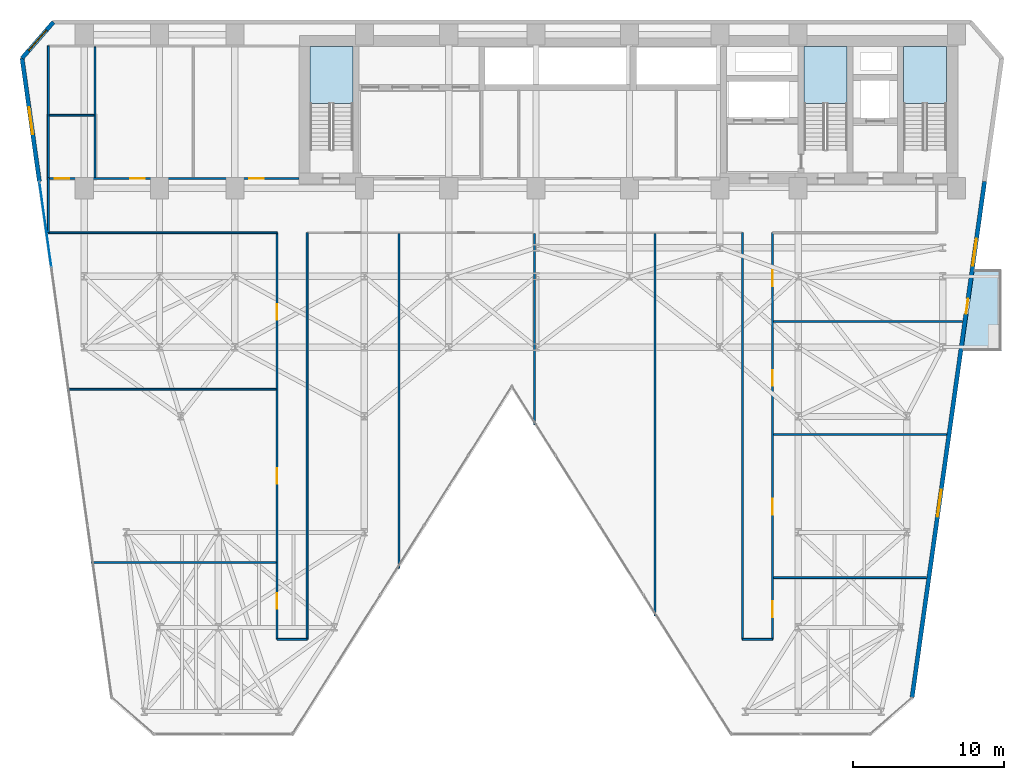
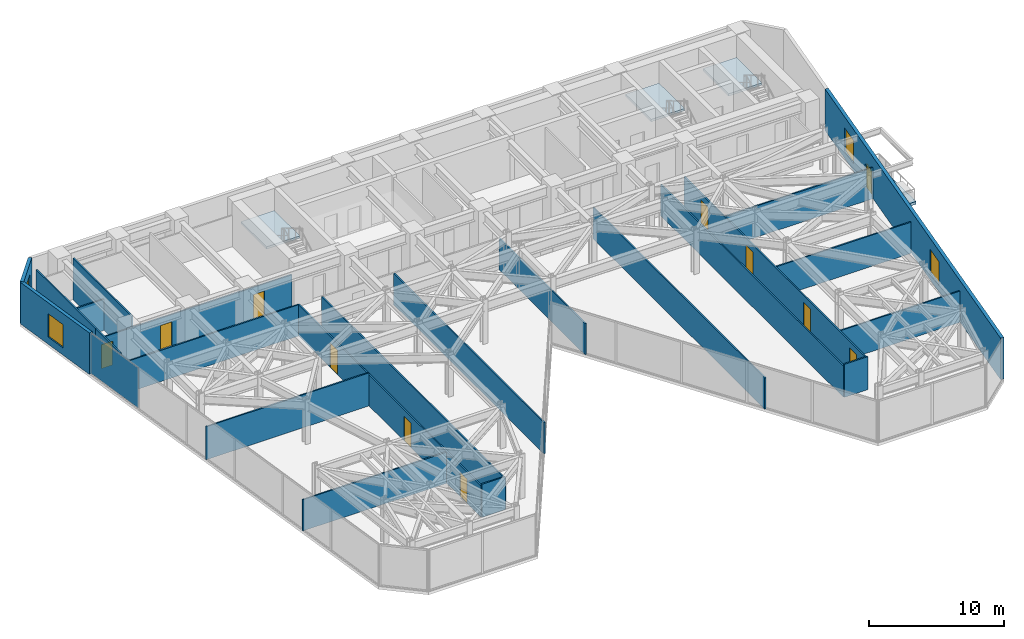
# One storey, part 19 of 24: 23 walls, 11 doors, 4 slabs, 4 windows, 1 plate, 15 openings, 4 elements without a shape of their own.
"""IFC4 building model written with IfcOpenShell, lengths in metres."""

import ifcopenshell
import ifcopenshell.guid

model = None  # the IFC model being written
_history = None  # IfcOwnerHistory: only IFC2X3 demands one
_inside = {}  # id of a spatial element -> (the spatial element, [elements in it])
_under = {}  # id of a project, library or spatial element -> (it, [spatial elements below it])
_declared = {}  # id of a project -> (the project, [libraries it declares])
_typed = {}  # id of a type object -> (the type object, [elements of that type])
_made_of = {}  # id of a material, layer set ... -> (it, [elements and type objects made of it])


def new_model(schema):
    """Start an empty IFC model of exactly this schema.

    Asked for "IFC4X3", IfcOpenShell would pick the latest addendum, in which some entities
    have other attributes; the version numbers below select the first issue.
    IFC2X3 requires an IfcOwnerHistory on every rooted entity: one is made here for all.
    """
    global model, _history
    if schema == "IFC4X3":
        model = ifcopenshell.file(schema_version=(4, 3, 0, 0))
    else:
        model = ifcopenshell.file(schema=schema)
    _inside.clear()
    _under.clear()
    _declared.clear()
    _typed.clear()
    _made_of.clear()
    _history = None
    if model.schema == "IFC2X3":
        org = make("IfcOrganization", Name="unknown")
        user = make(
            "IfcPersonAndOrganization",
            ThePerson=make("IfcPerson", FamilyName="unknown"),
            TheOrganization=org,
        )
        app = make(
            "IfcApplication",
            ApplicationDeveloper=org,
            Version="unknown",
            ApplicationFullName="unknown",
            ApplicationIdentifier="unknown",
        )
        _history = make(
            "IfcOwnerHistory",
            OwningUser=user,
            OwningApplication=app,
            ChangeAction="ADDED",
            CreationDate=0,
        )
    return model


def make(cls, **values):
    """One entity of the class cls with the attributes given. An attribute that is None is left unset."""
    return model.create_entity(
        cls, **{name: value for name, value in values.items() if value is not None}
    )


def rooted(cls, **values):
    """An entity with a GlobalId (a new one), such as an element, a storey or a relation."""
    return make(cls, GlobalId=ifcopenshell.guid.new(), OwnerHistory=_history, **values)


def si_unit(unit_type, name, prefix=None):
    """IfcSIUnit, for example si_unit("LENGTHUNIT", "METRE", prefix="MILLI")."""
    return make("IfcSIUnit", UnitType=unit_type, Prefix=prefix, Name=name)


def assignment(units):
    """IfcUnitAssignment: the units of a project."""
    return None if units is None else make("IfcUnitAssignment", Units=units)


def point(xyz):
    """IfcCartesianPoint."""
    return None if xyz is None else make("IfcCartesianPoint", Coordinates=xyz)


def direction(xyz):
    """IfcDirection."""
    return None if xyz is None else make("IfcDirection", DirectionRatios=xyz)


def frame(location, z_axis=None, x_axis=None):
    """IfcAxis2Placement3D, a coordinate frame: its origin and axes. An axis left out is left unset."""
    return make(
        "IfcAxis2Placement3D",
        Location=point(location),
        Axis=direction(z_axis),
        RefDirection=direction(x_axis),
    )


def frame_2d(location, x_axis=None):
    """IfcAxis2Placement2D, a coordinate frame in the plane: its origin and x axis."""
    return make(
        "IfcAxis2Placement2D", Location=point(location), RefDirection=direction(x_axis)
    )


def origin():
    """The frame at (0, 0, 0) with its axes left unset."""
    return frame((0.0, 0.0, 0.0))


def origin_2d():
    """The frame at (0, 0) in the plane with its x axis left unset."""
    return frame_2d((0.0, 0.0))


def place(relative_to, where):
    """IfcLocalPlacement: puts the frame where relative to a parent placement (None: the world)."""
    return make(
        "IfcLocalPlacement", PlacementRelTo=relative_to, RelativePlacement=where
    )


def context(
    kind, dimensions, precision=None, world=None, true_north=None, identifier=None
):
    """IfcGeometricRepresentationContext, for example the 3D "Model" context."""
    return make(
        "IfcGeometricRepresentationContext",
        ContextIdentifier=identifier,
        ContextType=kind,
        CoordinateSpaceDimension=dimensions,
        Precision=precision,
        WorldCoordinateSystem=world,
        TrueNorth=true_north,
    )


def subcontext(parent, identifier, kind, view, scale=None):
    """IfcGeometricRepresentationSubContext, for example "Body" below "Model"."""
    return make(
        "IfcGeometricRepresentationSubContext",
        ContextIdentifier=identifier,
        ContextType=kind,
        ParentContext=parent,
        TargetScale=scale,
        TargetView=view,
    )


def project(units=None, contexts=None):
    """IfcProject with its units and contexts."""
    return rooted(
        "IfcProject",
        Name="project",
        RepresentationContexts=contexts,
        UnitsInContext=assignment(units),
    )


def spatial(cls, under=None, at=None, **own):
    """A site, building, storey or space (cls), placed at a placement, below another one or the project."""
    s = rooted(cls, ObjectPlacement=at, **own)
    if under is not None:
        _under.setdefault(under.id(), (under, []))[1].append(s)
    return s


def polyline(points):
    """IfcPolyline through the points."""
    return make("IfcPolyline", Points=[point(p) for p in points])


def profile(cls, at=None, kind="AREA", **sizes):
    """A parametric profile (cls). Its sizes go by their IFC names, for example OverallWidth=200.0."""
    return make(cls, ProfileType=kind, Position=at, **sizes)


def rectangle(**sizes):
    """IfcRectangleProfileDef."""
    return profile("IfcRectangleProfileDef", **sizes)


def outline(outer, holes=None, kind="AREA"):
    """IfcArbitraryClosedProfileDef: a profile drawn as a closed curve; with holes, ...WithVoids."""
    if holes is None:
        return make("IfcArbitraryClosedProfileDef", ProfileType=kind, OuterCurve=outer)
    return make(
        "IfcArbitraryProfileDefWithVoids",
        ProfileType=kind,
        OuterCurve=outer,
        InnerCurves=holes,
    )


def extrude(swept, where, along, depth):
    """IfcExtrudedAreaSolid: the profile swept, set in the frame where, extruded along a direction by depth."""
    return make(
        "IfcExtrudedAreaSolid",
        SweptArea=swept,
        Position=where,
        ExtrudedDirection=direction(along),
        Depth=depth,
    )


def shape(context_of_items, identifier, shape_type, items):
    """IfcShapeRepresentation: the items that make up one representation, for example the "Body"."""
    return make(
        "IfcShapeRepresentation",
        ContextOfItems=context_of_items,
        RepresentationIdentifier=identifier,
        RepresentationType=shape_type,
        Items=items,
    )


def material(Name=None, Category=None):
    """IfcMaterial."""
    return make("IfcMaterial", Name=Name, Category=Category)


def layer(
    of_material, thickness, ventilated=None, Name=None, Category=None, Priority=None
):
    """IfcMaterialLayer: one layer of a wall or slab, of a material (None: an air gap)."""
    return make(
        "IfcMaterialLayer",
        Material=of_material,
        LayerThickness=thickness,
        IsVentilated=ventilated,
        Name=Name,
        Category=Category,
        Priority=Priority,
    )


def layer_set(layers, Name=None):
    """IfcMaterialLayerSet."""
    return make("IfcMaterialLayerSet", MaterialLayers=layers, LayerSetName=Name)


def made_of(thing, what):
    """Note that an element or type object is made of a material, layer set ...; save() writes the relation."""
    if what is not None:
        _made_of.setdefault(what.id(), (what, []))[1].append(thing)
    return thing


def type_object(cls, material=None, **own):
    """A type object (cls), such as IfcWallType, which elements share."""
    return made_of(rooted(cls, **own), material)


def element(
    cls,
    number,
    at=None,
    inside=None,
    cuts=None,
    type_object=None,
    material=None,
    context=None,
    identifier="Body",
    shape_type=None,
    held_by="IfcProductDefinitionShape",
    body=None,
    shapes=None,
    **own,
):
    """One element of the class cls, such as IfcWall. Its Tag is "e" and its number.

    at: its placement. inside: the storey or other place that contains it. cuts: it is an
    opening in that element (IfcRelVoidsElement). A single representation is given by context,
    identifier, shape_type and body (its items); several are given by shapes. held_by: the class
    of the entity that holds the representations. save() writes the other relations.
    """
    e = rooted(cls, Tag="e%d" % number, ObjectPlacement=at, **own)
    if body is not None:
        shapes = [shape(context, identifier, shape_type, body)]
    if shapes is not None:
        e.Representation = make(held_by, Representations=shapes)
    if inside is not None:
        _inside.setdefault(inside.id(), (inside, []))[1].append(e)
    if cuts is not None:
        rooted(
            "IfcRelVoidsElement", RelatingBuildingElement=cuts, RelatedOpeningElement=e
        )
    if type_object is not None:
        _typed.setdefault(type_object.id(), (type_object, []))[1].append(e)
    return made_of(e, material)


def fill(opening, filler):
    """IfcRelFillsElement: the door or window that sits in an opening."""
    return rooted(
        "IfcRelFillsElement",
        RelatingOpeningElement=opening,
        RelatedBuildingElement=filler,
    )


def aggregate(whole, parts):
    """IfcRelAggregates: a whole, such as a stair, and the parts it consists of."""
    return rooted("IfcRelAggregates", RelatingObject=whole, RelatedObjects=parts)


def save(model, path):
    """Write the relations noted so far, then the file.

    IfcRelAggregates (storeys below a building ...), IfcRelContainedInSpatialStructure (elements
    in a storey), IfcRelDefinesByType, IfcRelAssociatesMaterial and IfcRelDeclares: one each for
    every whole, place, type object, material and project.
    """
    for whole, parts in _under.values():
        aggregate(whole, parts)
    for where, things in _inside.values():
        rooted(
            "IfcRelContainedInSpatialStructure",
            RelatedElements=things,
            RelatingStructure=where,
        )
    for kind, things in _typed.values():
        rooted("IfcRelDefinesByType", RelatedObjects=things, RelatingType=kind)
    for what, things in _made_of.values():
        rooted("IfcRelAssociatesMaterial", RelatedObjects=things, RelatingMaterial=what)
    for by, libraries in _declared.values():
        rooted("IfcRelDeclares", RelatingContext=by, RelatedDefinitions=libraries)
    model.write(path)


model = new_model("IFC4")

# Units and contexts
model_context = context("Model", 3, precision=1e-05, world=origin(), true_north=direction((0.0, 1.0)))
body_context = subcontext(model_context, "Body", "Model", "MODEL_VIEW")
ifc_project = project(units=[si_unit("LENGTHUNIT", "METRE"), si_unit("AREAUNIT", "SQUARE_METRE"), si_unit("VOLUMEUNIT", "CUBIC_METRE"), si_unit("PLANEANGLEUNIT", "RADIAN"), si_unit("MASSUNIT", "GRAM", prefix="KILO")], contexts=[model_context])

# Site, building, storey
site_placement = place(None, origin())
site = spatial("IfcSite", under=ifc_project, at=site_placement, CompositionType="ELEMENT")
building_placement = place(site_placement, origin())
building = spatial("IfcBuilding", under=site, at=building_placement, Name="Kravanh Interchange Tower", CompositionType="ELEMENT")
storey_placement = place(building_placement, frame((0.0, 0.0, 69.5)))
storey = spatial("IfcBuildingStorey", under=building, at=storey_placement, Name="L16", CompositionType="ELEMENT", Elevation=69.5)

# Stair, slab
ifc_material_1 = material(Name="Concrete C50/60", Category="concrete")
stair_type = type_object("IfcStairType", Name="Core Fire Exit Dogleg Stair Concrete C50/60", PredefinedType="HALF_TURN_STAIR", material=ifc_material_1)
stair_1_placement = place(storey_placement, origin())
stair_1 = element("IfcStair", 1, at=stair_1_placement, inside=storey, type_object=stair_type, Name="L16 Exit Stair ST1", PredefinedType="HALF_TURN_STAIR")
ifc_material_2 = material(Name="Concrete C50/60", Category="concrete")
ifc_layer_1 = layer(ifc_material_2, 0.199951171875)
ifc_layer_set_1 = layer_set([ifc_layer_1], Name="Concrete C50/60 Stair Half-Landing Slab 200mm")
slab_type_1 = type_object("IfcSlabType", Name="Concrete C50/60 Stair Half-Landing Slab 200mm", PredefinedType="LANDING", material=ifc_layer_set_1)
slab_1_placement = place(storey_placement, frame((0.0, 0.0, 1.800048828125)))
slab_1 = element("IfcSlab", 2, at=slab_1_placement, type_object=slab_type_1, Name="ST1 landing 1", PredefinedType="LANDING", context=body_context, shape_type="SweptSolid", body=[
    extrude(outline(polyline([(65.85009765625, 42.97998046875), (65.85009765625, 46.75), (63.0, 46.75), (63.0, 42.97998046875), (65.85009765625, 42.97998046875)])), origin(), (0.0, 0.0, 1.0), 0.199951171875),
])
aggregate(stair_1, [slab_1])

stair_2_placement = place(storey_placement, origin())
stair_2 = element("IfcStair", 3, at=stair_2_placement, inside=storey, type_object=stair_type, Name="L16 Exit Stair ST2", PredefinedType="HALF_TURN_STAIR")
slab_2_placement = place(storey_placement, frame((0.0, 0.0, 1.800048828125)))
slab_2 = element("IfcSlab", 4, at=slab_2_placement, type_object=slab_type_1, Name="ST2 landing 1", PredefinedType="LANDING", context=body_context, shape_type="SweptSolid", body=[
    extrude(outline(polyline([(59.25, 42.97998046875), (59.25, 46.75), (56.39990234375, 46.75), (56.39990234375, 42.97998046875), (59.25, 42.97998046875)])), origin(), (0.0, 0.0, 1.0), 0.199951171875),
])
aggregate(stair_2, [slab_2])

stair_3_placement = place(storey_placement, origin())
stair_3 = element("IfcStair", 5, at=stair_3_placement, inside=storey, type_object=stair_type, Name="L16 Exit Stair ST3", PredefinedType="HALF_TURN_STAIR")
slab_3_placement = place(storey_placement, frame((0.0, 0.0, 1.800048828125)))
slab_3 = element("IfcSlab", 6, at=slab_3_placement, type_object=slab_type_1, Name="ST3 landing 1", PredefinedType="LANDING", context=body_context, shape_type="SweptSolid", body=[
    extrude(outline(polyline([(26.449951171875, 42.97998046875), (26.449951171875, 46.75), (23.60009765625, 46.75), (23.60009765625, 42.97998046875), (26.449951171875, 42.97998046875)])), origin(), (0.0, 0.0, 1.0), 0.199951171875),
])
aggregate(stair_3, [slab_3])

# Slab
ifc_material_3 = material(Name="Concrete C50/60", Category="concrete")
ifc_layer_2 = layer(ifc_material_3, 0.199951171875)
ifc_layer_set_2 = layer_set([ifc_layer_2], Name="Planted Tree Balcony Slab Concrete C50/60 200mm")
slab_type_2 = type_object("IfcSlabType", Name="Planted Tree Balcony Slab Concrete C50/60 200mm", PredefinedType="USERDEFINED", material=ifc_layer_set_2)
slab_4_placement = place(storey_placement, frame((0.0, 0.0, -0.260009765625)))
element("IfcSlab", 7, at=slab_4_placement, inside=storey, type_object=slab_type_2, Name="L16 East Tree Planter Balcony Slab", ObjectType="BALCONY", PredefinedType="USERDEFINED", context=body_context, shape_type="SweptSolid", body=[
    extrude(outline(polyline([(69.489990234375, 31.949951171875), (69.489990234375, 26.550048828125), (66.930419921875, 26.550048828125), (67.689208984375, 31.949951171875), (69.489990234375, 31.949951171875)])), origin(), (0.0, 0.0, 1.0), 0.260009765625),
])

# Curtain wall, plate
ifc_material_4 = material(Name="Anodised Bronze Aluminium", Category="aluminium")
ifc_layer_3 = layer(ifc_material_4, 0.179931640625)
ifc_layer_set_3 = layer_set([ifc_layer_3], Name="Unitised Curtain Wall System CW-Z1 Lower Office")
curtain_wall_type = type_object("IfcCurtainWallType", Name="Unitised Curtain Wall System CW-Z1 Lower Office", PredefinedType="NOTDEFINED", material=ifc_layer_set_3)
curtain_wall_placement = place(storey_placement, origin())
curtain_wall = element("IfcCurtainWall", 8, at=curtain_wall_placement, inside=storey, type_object=curtain_wall_type, Name="L16 Unitised Curtain Wall CW-L16-01", PredefinedType="NOTDEFINED")
ifc_material_5 = material(Name="Low-E Laminated Architectural Glass", Category="glass")
ifc_layer_4 = layer(ifc_material_5, 0.028076171875)
ifc_layer_set_4 = layer_set([ifc_layer_4], Name="Solar-Control Double Glazing 28mm")
plate_type = type_object("IfcPlateType", Name="Solar-Control Double Glazing 28mm", PredefinedType="CURTAIN_PANEL", material=ifc_layer_set_4)
plate_placement = place(storey_placement, frame((6.028564453125, 34.927490234375, 0.06005859375), z_axis=(0.0, 0.0, 1.0), x_axis=(-0.139176538065, 0.990267585682, 0.0)))
plate = element("IfcPlate", 9, at=plate_placement, type_object=plate_type, Name="CW-Z1 panel 6.1", PredefinedType="CURTAIN_PANEL", context=body_context, shape_type="SweptSolid", body=[
    extrude(rectangle(XDim=5.66162109375, YDim=0.028076171875, at=origin_2d()), origin(), (0.0, 0.0, 1.0), 3.6201171875),
])
aggregate(curtain_wall, [plate])

# Wall, openings, doors
ifc_material_6 = material(Name="Double Acoustic Gypsum Board and Mineral Wool")
ifc_layer_5 = layer(ifc_material_6, 0.1201171875)
ifc_layer_set_5 = layer_set([ifc_layer_5], Name="Acoustic Office Drywall Partition 120mm")
wall_type_1 = type_object("IfcWallType", Name="Acoustic Office Drywall Partition 120mm", PredefinedType="PARTITIONING", material=ifc_layer_set_5)
wall_1_placement = place(storey_placement, frame((6.219970703125, 38.0, 0.0), z_axis=(0.0, 0.0, 1.0), x_axis=(1.0, 0.0, 0.0)))
wall_1 = element("IfcWall", 10, at=wall_1_placement, inside=storey, type_object=wall_type_1, Name="L16 Restroom Corridor Wall 7", PredefinedType="PARTITIONING", context=body_context, shape_type="SweptSolid", body=[
    extrude(rectangle(XDim=16.630126953125, YDim=0.1201171875, at=frame_2d((8.31494140625, 0.0))), origin(), (0.0, 0.0, 1.0), 2.81298828125),
])
opening_1_placement = place(wall_1_placement, frame((0.424072265625, 0.0, 0.0)))
opening_1 = element("IfcOpeningElement", 11, at=opening_1_placement, cuts=wall_1, Name="Opening D-95", PredefinedType="OPENING", context=body_context, shape_type="SweptSolid", body=[
    extrude(rectangle(XDim=0.949951171875, YDim=2.14990234375, at=frame_2d((0.47509765625, 1.074951171875))), frame((0.0, 0.070068359375, 0.0), z_axis=(0.0, -1.0, 0.0), x_axis=(1.0, 0.0, 0.0)), (0.0, 0.0, 1.0), 0.14013671875),
])
opening_2_placement = place(wall_1_placement, frame((5.444091796875, 0.0, 0.0)))
opening_2 = element("IfcOpeningElement", 12, at=opening_2_placement, cuts=wall_1, Name="Opening D-95", PredefinedType="OPENING", context=body_context, shape_type="SweptSolid", body=[
    extrude(rectangle(XDim=0.949951171875, YDim=2.14990234375, at=frame_2d((0.47509765625, 1.074951171875))), frame((0.0, 0.070068359375, 0.0), z_axis=(0.0, -1.0, 0.0), x_axis=(1.0, 0.0, 0.0)), (0.0, 0.0, 1.0), 0.14013671875),
])
opening_3_placement = place(wall_1_placement, frame((13.343994140625, 0.0, 0.0)))
opening_3 = element("IfcOpeningElement", 13, at=opening_3_placement, cuts=wall_1, Name="Opening D-95", PredefinedType="OPENING", context=body_context, shape_type="SweptSolid", body=[
    extrude(rectangle(XDim=0.949951171875, YDim=2.14990234375, at=frame_2d((0.47509765625, 1.074951171875))), frame((0.0, 0.070068359375, 0.0), z_axis=(0.0, -1.0, 0.0), x_axis=(1.0, 0.0, 0.0)), (0.0, 0.0, 1.0), 0.14013671875),
])
ifc_material_7 = material(Name="Laminate Solid-Core Timber", Category="wood")
door_type_1 = type_object("IfcDoorType", Name="Accessible Restroom Door 950x2150", OperationType="NOTDEFINED", PredefinedType="DOOR", material=ifc_material_7)
door_1_placement = place(opening_1_placement, origin())
door_1 = element("IfcDoor", 14, at=door_1_placement, inside=storey, type_object=door_type_1, Name="L16 Accessible WC Door", OperationType="SINGLE_SWING_RIGHT", OverallHeight=2.14990234375, OverallWidth=0.949951171875, PredefinedType="DOOR", context=body_context, shape_type="SweptSolid", body=[
    extrude(rectangle(XDim=0.949951171875, YDim=2.14990234375, at=frame_2d((0.47509765625, 1.074951171875))), frame((0.0, 0.02490234375, 0.0), z_axis=(0.0, -1.0, 0.0), x_axis=(1.0, 0.0, 0.0)), (0.0, 0.0, 1.0), 0.050048828125),
])
fill(opening_1, door_1)
door_2_placement = place(opening_2_placement, origin())
door_2 = element("IfcDoor", 15, at=door_2_placement, inside=storey, type_object=door_type_1, Name="L16 Female WC Door", OperationType="SINGLE_SWING_LEFT", OverallHeight=2.14990234375, OverallWidth=0.949951171875, PredefinedType="DOOR", context=body_context, shape_type="SweptSolid", body=[
    extrude(rectangle(XDim=0.949951171875, YDim=2.14990234375, at=frame_2d((0.47509765625, 1.074951171875))), frame((0.0, 0.02490234375, 0.0), z_axis=(0.0, -1.0, 0.0), x_axis=(1.0, 0.0, 0.0)), (0.0, 0.0, 1.0), 0.050048828125),
])
fill(opening_2, door_2)
door_3_placement = place(opening_3_placement, origin())
door_3 = element("IfcDoor", 16, at=door_3_placement, inside=storey, type_object=door_type_1, Name="L16 Male WC Door", OperationType="SINGLE_SWING_RIGHT", OverallHeight=2.14990234375, OverallWidth=0.949951171875, PredefinedType="DOOR", context=body_context, shape_type="SweptSolid", body=[
    extrude(rectangle(XDim=0.949951171875, YDim=2.14990234375, at=frame_2d((0.47509765625, 1.074951171875))), frame((0.0, 0.02490234375, 0.0), z_axis=(0.0, -1.0, 0.0), x_axis=(1.0, 0.0, 0.0)), (0.0, 0.0, 1.0), 0.050048828125),
])
fill(opening_3, door_3)

# Walls
wall_2_placement = place(storey_placement, frame((6.219970703125, 38.0, 0.0), z_axis=(0.0, 0.0, 1.0), x_axis=(0.0, 1.0, 0.0)))
element("IfcWall", 17, at=wall_2_placement, inside=storey, type_object=wall_type_1, Name="L16 Restroom West Enclosure 8", PredefinedType="PARTITIONING", context=body_context, shape_type="SweptSolid", body=[
    extrude(rectangle(XDim=8.800048828125, YDim=0.1201171875, at=frame_2d((4.39990234375, 0.0))), origin(), (0.0, 0.0, 1.0), 3.739990234375),
])
wall_3_placement = place(storey_placement, frame((9.320068359375, 38.068115234375, 0.0), z_axis=(0.0, 0.0, 1.0), x_axis=(0.0, 1.0, 0.0)))
element("IfcWall", 18, at=wall_3_placement, inside=storey, type_object=wall_type_1, Name="L16 Interior Partition 10", PredefinedType="PARTITIONING", context=body_context, shape_type="SweptSolid", body=[
    extrude(rectangle(XDim=8.663818359375, YDim=0.1201171875, at=frame_2d((4.33203125, 0.0))), origin(), (0.0, 0.0, 1.0), 3.739990234375),
])
wall_4_placement = place(storey_placement, frame((6.2880859375, 42.199951171875, 0.0), z_axis=(0.0, 0.0, 1.0), x_axis=(1.0, 0.0, 0.0)))
element("IfcWall", 19, at=wall_4_placement, inside=storey, type_object=wall_type_1, Name="L16 Interior Partition 12", PredefinedType="PARTITIONING", context=body_context, shape_type="SweptSolid", body=[
    extrude(rectangle(XDim=2.9638671875, YDim=0.1201171875, at=frame_2d((1.48193359375, 0.0))), origin(), (0.0, 0.0, 1.0), 2.81298828125),
])
wall_5_placement = place(storey_placement, frame((6.219970703125, 34.39990234375, 0.0), z_axis=(0.0, 0.0, 1.0), x_axis=(1.0, 0.0, 0.0)))
element("IfcWall", 20, at=wall_5_placement, inside=storey, type_object=wall_type_1, Name="L16 Interior Partition 13", PredefinedType="PARTITIONING", context=body_context, shape_type="SweptSolid", body=[
    extrude(rectangle(XDim=15.179931640625, YDim=0.1201171875, at=frame_2d((7.58984375, 0.0))), origin(), (0.0, 0.0, 1.0), 2.81298828125),
])
wall_6_placement = place(storey_placement, frame((6.219970703125, 34.39990234375, 0.0), z_axis=(0.0, 0.0, 1.0), x_axis=(0.0, 1.0, 0.0)))
element("IfcWall", 21, at=wall_6_placement, inside=storey, type_object=wall_type_1, Name="L16 Interior Partition 16", PredefinedType="PARTITIONING", context=body_context, shape_type="SweptSolid", body=[
    extrude(rectangle(XDim=3.650146484375, YDim=0.1201171875, at=frame_2d((1.8251953125, 0.0))), origin(), (0.0, 0.0, 1.0), 3.739990234375),
])

# Wall, openings, doors
wall_7_placement = place(storey_placement, frame((21.39990234375, 7.39990234375, 0.0), z_axis=(0.0, 0.0, 1.0), x_axis=(0.0, 1.0, 0.0)))
wall_7 = element("IfcWall", 22, at=wall_7_placement, inside=storey, type_object=wall_type_1, Name="L16 Interior Partition 18", PredefinedType="PARTITIONING", context=body_context, shape_type="SweptSolid", body=[
    extrude(rectangle(XDim=27.0, YDim=0.1201171875, at=frame_2d((13.5, 0.0))), origin(), (0.0, 0.0, 1.0), 2.81298828125),
])
opening_4_placement = place(wall_7_placement, frame((2.02490234375, 0.0, 0.0)))
opening_4 = element("IfcOpeningElement", 23, at=opening_4_placement, cuts=wall_7, Name="Opening D-105", PredefinedType="OPENING", context=body_context, shape_type="SweptSolid", body=[
    extrude(rectangle(XDim=1.050048828125, YDim=2.199951171875, at=frame_2d((0.52490234375, 1.10009765625))), frame((0.0, 0.070068359375, 0.0), z_axis=(0.0, -1.0, 0.0), x_axis=(1.0, 0.0, 0.0)), (0.0, 0.0, 1.0), 0.14013671875),
])
opening_5_placement = place(wall_7_placement, frame((10.324951171875, 0.0, 0.0)))
opening_5 = element("IfcOpeningElement", 24, at=opening_5_placement, cuts=wall_7, Name="Opening D-105", PredefinedType="OPENING", context=body_context, shape_type="SweptSolid", body=[
    extrude(rectangle(XDim=1.050048828125, YDim=2.199951171875, at=frame_2d((0.52490234375, 1.10009765625))), frame((0.0, 0.070068359375, 0.0), z_axis=(0.0, -1.0, 0.0), x_axis=(1.0, 0.0, 0.0)), (0.0, 0.0, 1.0), 0.14013671875),
])
opening_6_placement = place(wall_7_placement, frame((21.209716796875, 0.0, 0.0)))
opening_6 = element("IfcOpeningElement", 25, at=opening_6_placement, cuts=wall_7, Name="Opening D-105", PredefinedType="OPENING", context=body_context, shape_type="SweptSolid", body=[
    extrude(rectangle(XDim=1.050048828125, YDim=2.199951171875, at=frame_2d((0.52490234375, 1.10009765625))), frame((0.0, 0.070068359375, 0.0), z_axis=(0.0, -1.0, 0.0), x_axis=(1.0, 0.0, 0.0)), (0.0, 0.0, 1.0), 0.14013671875),
])
ifc_material_8 = material(Name="Acoustic Glazed Oak and Aluminium", Category="aluminium")
door_type_2 = type_object("IfcDoorType", Name="Office Workplace Door 1050x2200", OperationType="NOTDEFINED", PredefinedType="DOOR", material=ifc_material_8)
door_4_placement = place(opening_4_placement, origin())
door_4 = element("IfcDoor", 26, at=door_4_placement, inside=storey, type_object=door_type_2, Name="L16 SW Hospitality Lounge Door", OperationType="SINGLE_SWING_LEFT", OverallHeight=2.199951171875, OverallWidth=1.050048828125, PredefinedType="DOOR", context=body_context, shape_type="SweptSolid", body=[
    extrude(rectangle(XDim=1.050048828125, YDim=2.199951171875, at=frame_2d((0.52490234375, 1.10009765625))), frame((0.0, 0.02490234375, 0.0), z_axis=(0.0, -1.0, 0.0), x_axis=(1.0, 0.0, 0.0)), (0.0, 0.0, 1.0), 0.050048828125),
])
fill(opening_4, door_4)
door_5_placement = place(opening_5_placement, origin())
door_5 = element("IfcDoor", 27, at=door_5_placement, inside=storey, type_object=door_type_2, Name="L16 West Catering Kitchenette Door", OperationType="SINGLE_SWING_RIGHT", OverallHeight=2.199951171875, OverallWidth=1.050048828125, PredefinedType="DOOR", context=body_context, shape_type="SweptSolid", body=[
    extrude(rectangle(XDim=1.050048828125, YDim=2.199951171875, at=frame_2d((0.52490234375, 1.10009765625))), frame((0.0, 0.02490234375, 0.0), z_axis=(0.0, -1.0, 0.0), x_axis=(1.0, 0.0, 0.0)), (0.0, 0.0, 1.0), 0.050048828125),
])
fill(opening_5, door_5)
door_6_placement = place(opening_6_placement, origin())
door_6 = element("IfcDoor", 28, at=door_6_placement, inside=storey, type_object=door_type_2, Name="L16 NW Supply Store Door", OperationType="SINGLE_SWING_LEFT", OverallHeight=2.199951171875, OverallWidth=1.050048828125, PredefinedType="DOOR", context=body_context, shape_type="SweptSolid", body=[
    extrude(rectangle(XDim=1.050048828125, YDim=2.199951171875, at=frame_2d((0.52490234375, 1.10009765625))), frame((0.0, 0.02490234375, 0.0), z_axis=(0.0, -1.0, 0.0), x_axis=(1.0, 0.0, 0.0)), (0.0, 0.0, 1.0), 0.050048828125),
])
fill(opening_6, door_6)

# Walls
wall_8_placement = place(storey_placement, frame((23.39990234375, 7.39990234375, 0.0), z_axis=(0.0, 0.0, 1.0), x_axis=(0.0, 1.0, 0.0)))
element("IfcWall", 29, at=wall_8_placement, inside=storey, type_object=wall_type_1, Name="L16 Interior Partition 19", PredefinedType="PARTITIONING", context=body_context, shape_type="SweptSolid", body=[
    extrude(rectangle(XDim=27.0, YDim=0.1201171875, at=frame_2d((13.5, 0.0))), origin(), (0.0, 0.0, 1.0), 2.81298828125),
])
wall_9_placement = place(storey_placement, frame((21.39990234375, 7.39990234375, 0.0), z_axis=(0.0, 0.0, 1.0), x_axis=(1.0, 0.0, 0.0)))
element("IfcWall", 30, at=wall_9_placement, inside=storey, type_object=wall_type_1, Name="L16 Interior Partition 20", PredefinedType="PARTITIONING", context=body_context, shape_type="SweptSolid", body=[
    extrude(rectangle(XDim=2.0, YDim=0.1201171875, at=frame_2d((1.0, 0.0))), origin(), (0.0, 0.0, 1.0), 2.97802734375),
])
wall_10_placement = place(storey_placement, frame((52.300048828125, 7.39990234375, 0.0), z_axis=(0.0, 0.0, 1.0), x_axis=(0.0, 1.0, 0.0)))
element("IfcWall", 31, at=wall_10_placement, inside=storey, type_object=wall_type_1, Name="L16 Interior Partition 21", PredefinedType="PARTITIONING", context=body_context, shape_type="SweptSolid", body=[
    extrude(rectangle(XDim=27.0, YDim=0.1201171875, at=frame_2d((13.5, 0.0))), origin(), (0.0, 0.0, 1.0), 2.81298828125),
])

# Wall, openings, doors
wall_11_placement = place(storey_placement, frame((54.300048828125, 7.39990234375, 0.0), z_axis=(0.0, 0.0, 1.0), x_axis=(0.0, 1.0, 0.0)))
wall_11 = element("IfcWall", 32, at=wall_11_placement, inside=storey, type_object=wall_type_1, Name="L16 Interior Partition 22", PredefinedType="PARTITIONING", context=body_context, shape_type="SweptSolid", body=[
    extrude(rectangle(XDim=27.0, YDim=0.1201171875, at=frame_2d((13.5, 0.0))), origin(), (0.0, 0.0, 1.0), 2.81298828125),
])
opening_7_placement = place(wall_11_placement, frame((1.484130859375, 0.0, 0.0)))
opening_7 = element("IfcOpeningElement", 33, at=opening_7_placement, cuts=wall_11, Name="Opening D-105", PredefinedType="OPENING", context=body_context, shape_type="SweptSolid", body=[
    extrude(rectangle(XDim=1.050048828125, YDim=2.199951171875, at=frame_2d((0.52490234375, 1.10009765625))), frame((0.0, 0.070068359375, 0.0), z_axis=(0.0, -1.0, 0.0), x_axis=(1.0, 0.0, 0.0)), (0.0, 0.0, 1.0), 0.14013671875),
])
opening_8_placement = place(wall_11_placement, frame((8.284912109375, 0.0, 0.0)))
opening_8 = element("IfcOpeningElement", 34, at=opening_8_placement, cuts=wall_11, Name="Opening D-105", PredefinedType="OPENING", context=body_context, shape_type="SweptSolid", body=[
    extrude(rectangle(XDim=1.050048828125, YDim=2.199951171875, at=frame_2d((0.52490234375, 1.10009765625))), frame((0.0, 0.070068359375, 0.0), z_axis=(0.0, -1.0, 0.0), x_axis=(1.0, 0.0, 0.0)), (0.0, 0.0, 1.0), 0.14013671875),
])
opening_9_placement = place(wall_11_placement, frame((16.824951171875, 0.0, 0.0)))
opening_9 = element("IfcOpeningElement", 35, at=opening_9_placement, cuts=wall_11, Name="Opening D-105", PredefinedType="OPENING", context=body_context, shape_type="SweptSolid", body=[
    extrude(rectangle(XDim=1.050048828125, YDim=2.199951171875, at=frame_2d((0.52490234375, 1.10009765625))), frame((0.0, 0.070068359375, 0.0), z_axis=(0.0, -1.0, 0.0), x_axis=(1.0, 0.0, 0.0)), (0.0, 0.0, 1.0), 0.14013671875),
])
opening_10_placement = place(wall_11_placement, frame((23.459716796875, 0.0, 0.0)))
opening_10 = element("IfcOpeningElement", 36, at=opening_10_placement, cuts=wall_11, Name="Opening D-105", PredefinedType="OPENING", context=body_context, shape_type="SweptSolid", body=[
    extrude(rectangle(XDim=1.050048828125, YDim=2.199951171875, at=frame_2d((0.52490234375, 1.10009765625))), frame((0.0, 0.070068359375, 0.0), z_axis=(0.0, -1.0, 0.0), x_axis=(1.0, 0.0, 0.0)), (0.0, 0.0, 1.0), 0.14013671875),
])
door_7_placement = place(opening_7_placement, origin())
door_7 = element("IfcDoor", 37, at=door_7_placement, inside=storey, type_object=door_type_2, Name="L16 SE Reception Lounge Door", OperationType="SINGLE_SWING_RIGHT", OverallHeight=2.199951171875, OverallWidth=1.050048828125, PredefinedType="DOOR", context=body_context, shape_type="SweptSolid", body=[
    extrude(rectangle(XDim=1.050048828125, YDim=2.199951171875, at=frame_2d((0.52490234375, 1.10009765625))), frame((0.0, 0.02490234375, 0.0), z_axis=(0.0, -1.0, 0.0), x_axis=(1.0, 0.0, 0.0)), (0.0, 0.0, 1.0), 0.050048828125),
])
fill(opening_7, door_7)
door_8_placement = place(opening_8_placement, origin())
door_8 = element("IfcDoor", 38, at=door_8_placement, inside=storey, type_object=door_type_2, Name="L16 East Briefing Meeting Door", OperationType="SINGLE_SWING_LEFT", OverallHeight=2.199951171875, OverallWidth=1.050048828125, PredefinedType="DOOR", context=body_context, shape_type="SweptSolid", body=[
    extrude(rectangle(XDim=1.050048828125, YDim=2.199951171875, at=frame_2d((0.52490234375, 1.10009765625))), frame((0.0, 0.02490234375, 0.0), z_axis=(0.0, -1.0, 0.0), x_axis=(1.0, 0.0, 0.0)), (0.0, 0.0, 1.0), 0.050048828125),
])
fill(opening_8, door_8)
door_9_placement = place(opening_9_placement, origin())
door_9 = element("IfcDoor", 39, at=door_9_placement, inside=storey, type_object=door_type_2, Name="L16 East Balcony Lounge Door", OperationType="SINGLE_SWING_RIGHT", OverallHeight=2.199951171875, OverallWidth=1.050048828125, PredefinedType="DOOR", context=body_context, shape_type="SweptSolid", body=[
    extrude(rectangle(XDim=1.050048828125, YDim=2.199951171875, at=frame_2d((0.52490234375, 1.10009765625))), frame((0.0, 0.02490234375, 0.0), z_axis=(0.0, -1.0, 0.0), x_axis=(1.0, 0.0, 0.0)), (0.0, 0.0, 1.0), 0.050048828125),
])
fill(opening_9, door_9)
door_10_placement = place(opening_10_placement, origin())
door_10 = element("IfcDoor", 40, at=door_10_placement, inside=storey, type_object=door_type_2, Name="L16 NE Vault Store Door", OperationType="SINGLE_SWING_LEFT", OverallHeight=2.199951171875, OverallWidth=1.050048828125, PredefinedType="DOOR", context=body_context, shape_type="SweptSolid", body=[
    extrude(rectangle(XDim=1.050048828125, YDim=2.199951171875, at=frame_2d((0.52490234375, 1.10009765625))), frame((0.0, 0.02490234375, 0.0), z_axis=(0.0, -1.0, 0.0), x_axis=(1.0, 0.0, 0.0)), (0.0, 0.0, 1.0), 0.050048828125),
])
fill(opening_10, door_10)

# Walls
wall_12_placement = place(storey_placement, frame((52.300048828125, 7.39990234375, 0.0), z_axis=(0.0, 0.0, 1.0), x_axis=(1.0, 0.0, 0.0)))
element("IfcWall", 41, at=wall_12_placement, inside=storey, type_object=wall_type_1, Name="L16 Interior Partition 23", PredefinedType="PARTITIONING", context=body_context, shape_type="SweptSolid", body=[
    extrude(rectangle(XDim=2.0, YDim=0.1201171875, at=frame_2d((1.0, 0.0))), origin(), (0.0, 0.0, 1.0), 2.97802734375),
])
wall_13_placement = place(storey_placement, frame((9.07470703125, 12.5, 0.0), z_axis=(0.0, 0.0, 1.0), x_axis=(1.0, 0.0, 0.0)))
element("IfcWall", 42, at=wall_13_placement, inside=storey, type_object=wall_type_1, Name="L16 Interior Partition 24", PredefinedType="PARTITIONING", context=body_context, shape_type="SweptSolid", body=[
    extrude(rectangle(XDim=12.25732421875, YDim=0.1201171875, at=frame_2d((6.128662109375, 0.0))), origin(), (0.0, 0.0, 1.0), 2.81298828125),
])
wall_14_placement = place(storey_placement, frame((7.45849609375, 24.0, 0.0), z_axis=(0.0, 0.0, 1.0), x_axis=(1.0, 0.0, 0.0)))
element("IfcWall", 43, at=wall_14_placement, inside=storey, type_object=wall_type_1, Name="L16 Interior Partition 25", PredefinedType="PARTITIONING", context=body_context, shape_type="SweptSolid", body=[
    extrude(rectangle(XDim=13.87353515625, YDim=0.1201171875, at=frame_2d((6.936767578125, 0.0))), origin(), (0.0, 0.0, 1.0), 2.97802734375),
])
wall_15_placement = place(storey_placement, frame((54.367919921875, 11.5, 0.0), z_axis=(0.0, 0.0, 1.0), x_axis=(1.0, 0.0, 0.0)))
element("IfcWall", 44, at=wall_15_placement, inside=storey, type_object=wall_type_1, Name="L16 Interior Partition 26", PredefinedType="PARTITIONING", context=body_context, shape_type="SweptSolid", body=[
    extrude(rectangle(XDim=10.144287109375, YDim=0.1201171875, at=frame_2d((5.072265625, 0.0))), origin(), (0.0, 0.0, 1.0), 2.81298828125),
])
wall_16_placement = place(storey_placement, frame((54.367919921875, 21.0, 0.0), z_axis=(0.0, 0.0, 1.0), x_axis=(1.0, 0.0, 0.0)))
element("IfcWall", 45, at=wall_16_placement, inside=storey, type_object=wall_type_1, Name="L16 Interior Partition 27", PredefinedType="PARTITIONING", context=body_context, shape_type="SweptSolid", body=[
    extrude(rectangle(XDim=11.4794921875, YDim=0.1201171875, at=frame_2d((5.73974609375, 0.0))), origin(), (0.0, 0.0, 1.0), 2.81298828125),
])
wall_17_placement = place(storey_placement, frame((54.367919921875, 28.5, 0.0), z_axis=(0.0, 0.0, 1.0), x_axis=(1.0, 0.0, 0.0)))
element("IfcWall", 46, at=wall_17_placement, inside=storey, type_object=wall_type_1, Name="L16 Interior Partition 28", PredefinedType="PARTITIONING", context=body_context, shape_type="SweptSolid", body=[
    extrude(rectangle(XDim=12.533447265625, YDim=0.1201171875, at=frame_2d((6.2666015625, 0.0))), origin(), (0.0, 0.0, 1.0), 2.81298828125),
])
wall_18_placement = place(storey_placement, frame((29.5, 12.131591796875, 0.0), z_axis=(0.0, 0.0, 1.0), x_axis=(0.0, 1.0, 0.0)))
element("IfcWall", 47, at=wall_18_placement, inside=storey, type_object=wall_type_1, Name="L16 Interior Partition 29", PredefinedType="PARTITIONING", context=body_context, shape_type="SweptSolid", body=[
    extrude(rectangle(XDim=22.200439453125, YDim=0.1201171875, at=frame_2d((11.10009765625, 0.0))), origin(), (0.0, 0.0, 1.0), 2.81298828125),
])
wall_19_placement = place(storey_placement, frame((38.5, 21.648681640625, 0.0), z_axis=(0.0, 0.0, 1.0), x_axis=(0.0, 1.0, 0.0)))
element("IfcWall", 48, at=wall_19_placement, inside=storey, type_object=wall_type_1, Name="L16 Interior Partition 30", PredefinedType="PARTITIONING", context=body_context, shape_type="SweptSolid", body=[
    extrude(rectangle(XDim=12.683349609375, YDim=0.1201171875, at=frame_2d((6.341796875, 0.0))), origin(), (0.0, 0.0, 1.0), 2.81298828125),
])
wall_20_placement = place(storey_placement, frame((46.5, 8.959228515625, 0.0), z_axis=(0.0, 0.0, 1.0), x_axis=(0.0, 1.0, 0.0)))
element("IfcWall", 49, at=wall_20_placement, inside=storey, type_object=wall_type_1, Name="L16 Interior Partition 31", PredefinedType="PARTITIONING", context=body_context, shape_type="SweptSolid", body=[
    extrude(rectangle(XDim=25.372802734375, YDim=0.1201171875, at=frame_2d((12.6865234375, 0.0))), origin(), (0.0, 0.0, 1.0), 2.81298828125),
])

# Wall, opening, window
ifc_material_9 = material(Name="Insulated Precast Concrete C40/50 with Bronze Cladding", Category="concrete")
ifc_layer_6 = layer(ifc_material_9, 0.280029296875)
ifc_layer_set_6 = layer_set([ifc_layer_6], Name="Exterior Insulated Concrete C40/50 Bronze Spandrel Wall 280mm")
wall_type_2 = type_object("IfcWallType", Name="Exterior Insulated Concrete C40/50 Bronze Spandrel Wall 280mm", PredefinedType="STANDARD", material=ifc_layer_set_6)
wall_21_placement = place(storey_placement, frame((5.625, 37.800048828125, 0.0), z_axis=(0.0, 0.0, 1.0), x_axis=(-0.139180172484, 0.990267074878, 0.0)))
wall_21 = element("IfcWall", 50, at=wall_21_placement, inside=storey, type_object=wall_type_2, Name="L16 Exterior Wall 1", PredefinedType="STANDARD", context=body_context, shape_type="SweptSolid", body=[
    extrude(rectangle(XDim=8.267333984375, YDim=0.280029296875, at=frame_2d((4.1337890625, 0.0))), origin(), (0.0, 0.0, 1.0), 3.739990234375),
])
opening_11_placement = place(wall_21_placement, frame((3.1728515625, 0.0, 0.64990234375)))
opening_11 = element("IfcOpeningElement", 51, at=opening_11_placement, cuts=wall_21, Name="Opening WN-180X210", PredefinedType="OPENING", context=body_context, shape_type="SweptSolid", body=[
    extrude(rectangle(XDim=1.800048828125, YDim=2.10009765625, at=frame_2d((0.89990234375, 1.050048828125))), frame((0.0, 0.14990234375, 0.0), z_axis=(0.0, -1.0, 0.0), x_axis=(1.0, 0.0, 0.0)), (0.0, 0.0, 1.0), 0.300048828125),
])
ifc_material_10 = material(Name="Thermally Broken Bronze Aluminium and Low-E Glass", Category="aluminium")
window_type = type_object("IfcWindowType", Name="Tower Pier Window 1800x2100", PartitioningType="SINGLE_PANEL", PredefinedType="WINDOW", material=ifc_material_10)
window_1_placement = place(opening_11_placement, origin())
window_1 = element("IfcWindow", 52, at=window_1_placement, inside=storey, type_object=window_type, Name="L16 Corner Window 1", OverallHeight=2.10009765625, OverallWidth=1.800048828125, PartitioningType="SINGLE_PANEL", PredefinedType="WINDOW", context=body_context, shape_type="SweptSolid", body=[
    extrude(rectangle(XDim=1.800048828125, YDim=2.10009765625, at=frame_2d((0.89990234375, 1.050048828125))), frame((0.0, 0.030029296875, 0.0), z_axis=(0.0, -1.0, 0.0), x_axis=(1.0, 0.0, 0.0)), (0.0, 0.0, 1.0), 0.06005859375),
])
fill(opening_11, window_1)

wall_22_placement = place(storey_placement, frame((4.474365234375, 45.98681640625, 0.0), z_axis=(0.0, 0.0, 1.0), x_axis=(0.656070053895, 0.754699996278, 0.0)))
wall_22 = element("IfcWall", 53, at=wall_22_placement, inside=storey, type_object=wall_type_2, Name="L16 Exterior Wall 2", PredefinedType="STANDARD", context=body_context, shape_type="SweptSolid", body=[
    extrude(rectangle(XDim=3.1708984375, YDim=0.280029296875, at=frame_2d((1.58544921875, 0.0))), origin(), (0.0, 0.0, 1.0), 3.739990234375),
])
opening_12_placement = place(wall_22_placement, frame((0.66650390625, 0.0, 0.64990234375)))
opening_12 = element("IfcOpeningElement", 54, at=opening_12_placement, cuts=wall_22, Name="Opening WN-180X210", PredefinedType="OPENING", context=body_context, shape_type="SweptSolid", body=[
    extrude(rectangle(XDim=1.800048828125, YDim=2.10009765625, at=frame_2d((0.89990234375, 1.050048828125))), frame((0.0, 0.14990234375, 0.0), z_axis=(0.0, -1.0, 0.0), x_axis=(1.0, 0.0, 0.0)), (0.0, 0.0, 1.0), 0.300048828125),
])
window_2_placement = place(opening_12_placement, origin())
window_2 = element("IfcWindow", 55, at=window_2_placement, inside=storey, type_object=window_type, Name="L16 Corner Window 2", OverallHeight=2.10009765625, OverallWidth=1.800048828125, PartitioningType="SINGLE_PANEL", PredefinedType="WINDOW", context=body_context, shape_type="SweptSolid", body=[
    extrude(rectangle(XDim=1.800048828125, YDim=2.10009765625, at=frame_2d((0.89990234375, 1.050048828125))), frame((0.0, 0.030029296875, 0.0), z_axis=(0.0, -1.0, 0.0), x_axis=(1.0, 0.0, 0.0)), (0.0, 0.0, 1.0), 0.06005859375),
])
fill(opening_12, window_2)

# Wall, openings, door, windows
wall_23_placement = place(storey_placement, frame((68.375, 37.800048828125, 0.0), z_axis=(0.0, 0.0, 1.0), x_axis=(-0.139174610616, -0.990267856572, 0.0)))
wall_23 = element("IfcWall", 56, at=wall_23_placement, inside=storey, type_object=wall_type_2, Name="L16 Exterior Wall 6", PredefinedType="STANDARD", context=body_context, shape_type="SweptSolid", body=[
    extrude(rectangle(XDim=34.599853515625, YDim=0.280029296875, at=frame_2d((17.2998046875, 0.0))), origin(), (0.0, 0.0, 1.0), 3.739990234375),
])
opening_13_placement = place(wall_23_placement, frame((7.87158203125, 0.0, 0.0)))
opening_13 = element("IfcOpeningElement", 57, at=opening_13_placement, cuts=wall_23, Name="Opening ED-BAL100", PredefinedType="OPENING", context=body_context, shape_type="SweptSolid", body=[
    extrude(rectangle(XDim=1.0, YDim=2.14990234375, at=frame_2d((0.5, 1.074951171875))), frame((0.0, 0.14990234375, 0.0), z_axis=(0.0, -1.0, 0.0), x_axis=(1.0, 0.0, 0.0)), (0.0, 0.0, 1.0), 0.300048828125),
])
opening_14_placement = place(wall_23_placement, frame((3.852294921875, 0.0, 0.64990234375)))
opening_14 = element("IfcOpeningElement", 58, at=opening_14_placement, cuts=wall_23, Name="Opening WN-180X210", PredefinedType="OPENING", context=body_context, shape_type="SweptSolid", body=[
    extrude(rectangle(XDim=1.800048828125, YDim=2.10009765625, at=frame_2d((0.89990234375, 1.050048828125))), frame((0.0, 0.14990234375, 0.0), z_axis=(0.0, -1.0, 0.0), x_axis=(1.0, 0.0, 0.0)), (0.0, 0.0, 1.0), 0.300048828125),
])
opening_15_placement = place(wall_23_placement, frame((20.66259765625, 0.0, 0.64990234375)))
opening_15 = element("IfcOpeningElement", 59, at=opening_15_placement, cuts=wall_23, Name="Opening WN-180X210", PredefinedType="OPENING", context=body_context, shape_type="SweptSolid", body=[
    extrude(rectangle(XDim=1.800048828125, YDim=2.10009765625, at=frame_2d((0.89990234375, 1.050048828125))), frame((0.0, 0.14990234375, 0.0), z_axis=(0.0, -1.0, 0.0), x_axis=(1.0, 0.0, 0.0)), (0.0, 0.0, 1.0), 0.300048828125),
])
ifc_material_11 = material(Name="Thermally Broken Bronze Aluminium and Laminated Glass", Category="aluminium")
door_type_3 = type_object("IfcDoorType", Name="Balcony Glazed Door 1000x2150", OperationType="NOTDEFINED", PredefinedType="DOOR", material=ifc_material_11)
door_11_placement = place(opening_13_placement, origin())
door_11 = element("IfcDoor", 60, at=door_11_placement, inside=storey, type_object=door_type_3, Name="L16 E Tree Balcony Access Door", OperationType="SINGLE_SWING_RIGHT", OverallHeight=2.14990234375, OverallWidth=1.0, PredefinedType="DOOR", context=body_context, shape_type="SweptSolid", body=[
    extrude(rectangle(XDim=1.0, YDim=2.14990234375, at=frame_2d((0.5, 1.074951171875))), frame((0.0, 0.02490234375, 0.0), z_axis=(0.0, -1.0, 0.0), x_axis=(1.0, 0.0, 0.0)), (0.0, 0.0, 1.0), 0.050048828125),
])
fill(opening_13, door_11)
window_3_placement = place(opening_14_placement, origin())
window_3 = element("IfcWindow", 61, at=window_3_placement, inside=storey, type_object=window_type, Name="L16 Facade Window 6A", OverallHeight=2.10009765625, OverallWidth=1.800048828125, PartitioningType="SINGLE_PANEL", PredefinedType="WINDOW", context=body_context, shape_type="SweptSolid", body=[
    extrude(rectangle(XDim=1.800048828125, YDim=2.10009765625, at=frame_2d((0.89990234375, 1.050048828125))), frame((0.0, 0.030029296875, 0.0), z_axis=(0.0, -1.0, 0.0), x_axis=(1.0, 0.0, 0.0)), (0.0, 0.0, 1.0), 0.06005859375),
])
fill(opening_14, window_3)
window_4_placement = place(opening_15_placement, origin())
window_4 = element("IfcWindow", 62, at=window_4_placement, inside=storey, type_object=window_type, Name="L16 Facade Window 6B", OverallHeight=2.10009765625, OverallWidth=1.800048828125, PartitioningType="SINGLE_PANEL", PredefinedType="WINDOW", context=body_context, shape_type="SweptSolid", body=[
    extrude(rectangle(XDim=1.800048828125, YDim=2.10009765625, at=frame_2d((0.89990234375, 1.050048828125))), frame((0.0, 0.030029296875, 0.0), z_axis=(0.0, -1.0, 0.0), x_axis=(1.0, 0.0, 0.0)), (0.0, 0.0, 1.0), 0.06005859375),
])
fill(opening_15, window_4)

save(model, "model.ifc")
